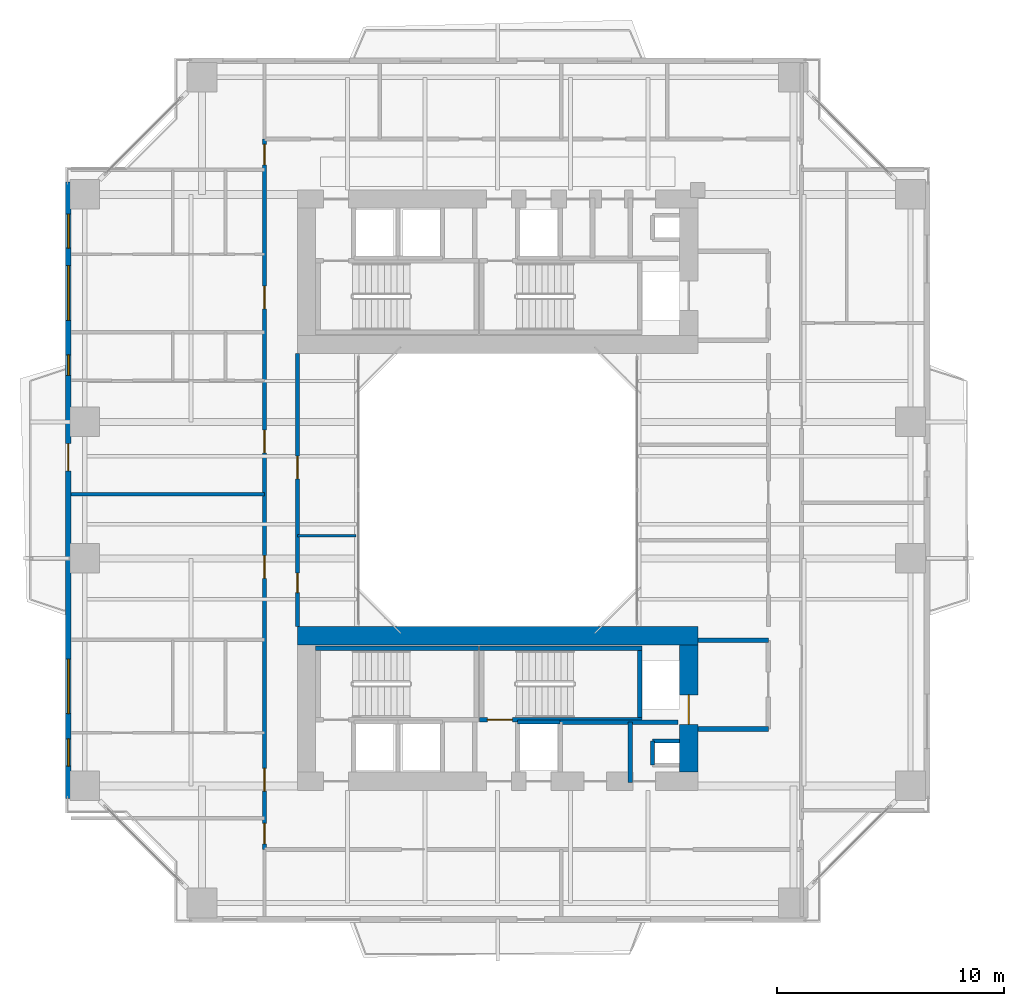
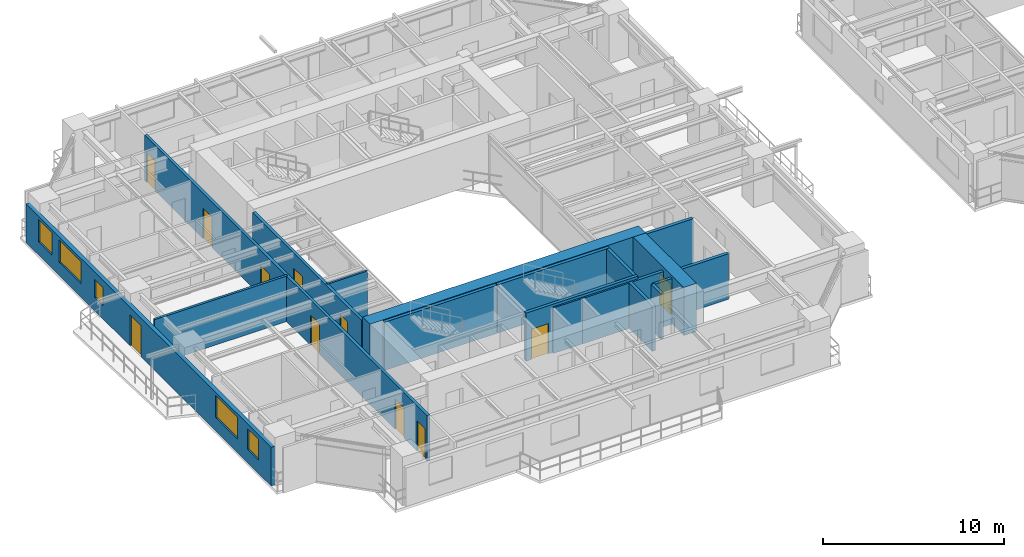
# One storey, part 13 of 23: 18 walls, 11 doors, 5 windows, 16 openings.
"""IFC4 building model written with IfcOpenShell, lengths in metres."""

from ifc_helpers import new_model, si_unit, direction, frame, frame_2d, origin, place, context, subcontext, project, spatial, rectangle, extrude, source, transform, mapped, material, layer, layer_set, type_object, element, fill, save


model = new_model("IFC4")

# Units and contexts
model_context = context("Model", 3, precision=1e-05, world=origin(), true_north=direction((0.0, 1.0)))
body_context = subcontext(model_context, "Body", "Model", "MODEL_VIEW")
ifc_project = project(units=[si_unit("LENGTHUNIT", "METRE"), si_unit("AREAUNIT", "SQUARE_METRE"), si_unit("VOLUMEUNIT", "CUBIC_METRE"), si_unit("PLANEANGLEUNIT", "RADIAN"), si_unit("MASSUNIT", "GRAM", prefix="KILO"), si_unit("THERMODYNAMICTEMPERATUREUNIT", "KELVIN"), si_unit("POWERUNIT", "WATT")], contexts=[model_context])

# Site, building, storey
site_placement = place(None, origin())
site = spatial("IfcSite", under=ifc_project, at=site_placement, CompositionType="ELEMENT")
building_placement = place(site_placement, origin())
building = spatial("IfcBuilding", under=site, at=building_placement, Name="Qiaomeng Ring Towers", CompositionType="ELEMENT")
storey_placement = place(building_placement, frame((0.0, 0.0, 60.0)))
storey = spatial("IfcBuildingStorey", under=building, at=storey_placement, Name="L16", CompositionType="ELEMENT", Elevation=60.0)

# Wall, openings, door, windows
ifc_material_1 = material(Name="Precast concrete C40", Category="concrete")
ifc_layer_1 = layer(ifc_material_1, 0.25, Name="Precast concrete C40")
ifc_layer_set_1 = layer_set([ifc_layer_1], Name="Precast concrete C40")
wall_type_1 = type_object("IfcWallType", Name="ARC-WL-EW1", PredefinedType="STANDARD", material=ifc_layer_set_1)
wall_1_placement = place(storey_placement, frame((0.125, 9.449951171875, 0.0), z_axis=(0.0, 0.0, 1.0), x_axis=(0.0, 1.0, 0.0)))
wall_1 = element("IfcWall", 1, at=wall_1_placement, inside=storey, type_object=wall_type_1, Name="L16 Tower 1 W Exterior Wall", PredefinedType="STANDARD", context=body_context, shape_type="SweptSolid", body=[
    extrude(rectangle(XDim=27.10009765625, YDim=0.25, at=frame_2d((13.550048828125, 0.0))), origin(), (0.0, 0.0, 1.0), 2.610107421875),
])
opening_1_placement = place(wall_1_placement, frame((14.39990234375, 0.0, 0.0)))
opening_1 = element("IfcOpeningElement", 2, at=opening_1_placement, cuts=wall_1, Name="Opening BD1", PredefinedType="OPENING", context=body_context, shape_type="SweptSolid", body=[
    extrude(rectangle(XDim=1.199951171875, YDim=2.10009765625, at=frame_2d((0.60009765625, 1.050048828125))), frame((0.0, 0.135009765625, 0.0), z_axis=(0.0, -1.0, 0.0), x_axis=(1.0, 0.0, 0.0)), (0.0, 0.0, 1.0), 0.27001953125),
])
opening_2_placement = place(wall_1_placement, frame((1.41748046875, 0.0, 0.89990234375)))
opening_2 = element("IfcOpeningElement", 3, at=opening_2_placement, cuts=wall_1, Name="Opening WN3", PredefinedType="OPENING", context=body_context, shape_type="SweptSolid", body=[
    extrude(rectangle(XDim=1.199951171875, YDim=1.39990234375, at=frame_2d((0.60009765625, 0.699951171875))), frame((0.0, 0.135009765625, 0.0), z_axis=(0.0, -1.0, 0.0), x_axis=(1.0, 0.0, 0.0)), (0.0, 0.0, 1.0), 0.27001953125),
])
opening_3_placement = place(wall_1_placement, frame((24.1875, 0.0, 0.89990234375)))
opening_3 = element("IfcOpeningElement", 4, at=opening_3_placement, cuts=wall_1, Name="Opening WN2", PredefinedType="OPENING", context=body_context, shape_type="SweptSolid", body=[
    extrude(rectangle(XDim=1.5, YDim=1.5, at=frame_2d((0.75, 0.75))), frame((0.0, 0.135009765625, 0.0), z_axis=(0.0, -1.0, 0.0), x_axis=(1.0, 0.0, 0.0)), (0.0, 0.0, 1.0), 0.27001953125),
])
opening_4_placement = place(wall_1_placement, frame((3.722412109375, 0.0, 0.89990234375)))
opening_4 = element("IfcOpeningElement", 5, at=opening_4_placement, cuts=wall_1, Name="Opening WN6", PredefinedType="OPENING", context=body_context, shape_type="SweptSolid", body=[
    extrude(rectangle(XDim=2.39990234375, YDim=1.5, at=frame_2d((1.199951171875, 0.75))), frame((0.0, 0.135009765625, 0.0), z_axis=(0.0, -1.0, 0.0), x_axis=(1.0, 0.0, 0.0)), (0.0, 0.0, 1.0), 0.27001953125),
])
opening_5_placement = place(wall_1_placement, frame((21.017578125, 0.0, 0.89990234375)))
opening_5 = element("IfcOpeningElement", 6, at=opening_5_placement, cuts=wall_1, Name="Opening WN6", PredefinedType="OPENING", context=body_context, shape_type="SweptSolid", body=[
    extrude(rectangle(XDim=2.39990234375, YDim=1.5, at=frame_2d((1.199951171875, 0.75))), frame((0.0, 0.135009765625, 0.0), z_axis=(0.0, -1.0, 0.0), x_axis=(1.0, 0.0, 0.0)), (0.0, 0.0, 1.0), 0.27001953125),
])
opening_6_placement = place(wall_1_placement, frame((18.60009765625, 0.0, 0.89990234375)))
opening_6 = element("IfcOpeningElement", 7, at=opening_6_placement, cuts=wall_1, Name="Opening WN5", PredefinedType="OPENING", context=body_context, shape_type="SweptSolid", body=[
    extrude(rectangle(XDim=0.89990234375, YDim=1.199951171875, at=frame_2d((0.449951171875, 0.60009765625))), frame((0.0, 0.135009765625, 0.0), z_axis=(0.0, -1.0, 0.0), x_axis=(1.0, 0.0, 0.0)), (0.0, 0.0, 1.0), 0.27001953125),
])
ifc_material_2 = material(Name="Low-E dark-grey laminated double glazing", Category="glass")
door_type_1 = type_object("IfcDoorType", Name="ARC-DR-BD1", OperationType="NOTDEFINED", PredefinedType="DOOR", material=ifc_material_2)
shared_shape_1 = source(origin(), body_context, "Body", "SweptSolid", [
    extrude(rectangle(XDim=1.199951171875, YDim=2.10009765625, at=frame_2d((0.60009765625, 1.050048828125))), frame((0.0, 0.02490234375, 0.0), z_axis=(0.0, -1.0, 0.0), x_axis=(1.0, 0.0, 0.0)), (0.0, 0.0, 1.0), 0.050048828125),
])
door_1_placement = place(opening_1_placement, frame((1.199951171875, 0.0, 0.0), z_axis=(0.0, 0.0, 1.0), x_axis=(-1.0, 0.0, 0.0)))
door_1 = element("IfcDoor", 8, at=door_1_placement, inside=storey, type_object=door_type_1, Name="L16 W Balcony Glazed Door", OperationType="SINGLE_SWING_LEFT", OverallHeight=2.10009765625, OverallWidth=1.199951171875, PredefinedType="DOOR", context=body_context, shape_type="MappedRepresentation", body=[
    mapped(shared_shape_1, transform((0.0, 0.0, 0.0), x_axis=(1.0, 0.0, 0.0), y_axis=(0.0, 1.0, 0.0), z_axis=(0.0, 0.0, 1.0), scale=1.0)),
])
fill(opening_1, door_1)
window_type_1 = type_object("IfcWindowType", Name="ARC-WN-2", PartitioningType="DOUBLE_PANEL_VERTICAL", PredefinedType="WINDOW", material=ifc_material_2)
shared_shape_2 = source(origin(), body_context, "Body", "SweptSolid", [
    extrude(rectangle(XDim=1.5, YDim=1.5, at=frame_2d((0.75, 0.75))), frame((0.0, 0.030029296875, 0.0), z_axis=(0.0, -1.0, 0.0), x_axis=(1.0, 0.0, 0.0)), (0.0, 0.0, 1.0), 0.06005859375),
])
window_1_placement = place(opening_3_placement, origin())
window_1 = element("IfcWindow", 9, at=window_1_placement, inside=storey, type_object=window_type_1, Name="L16 Exterior Window WN4", OverallHeight=1.5, OverallWidth=1.5, PartitioningType="TRIPLE_PANEL_VERTICAL", PredefinedType="WINDOW", context=body_context, shape_type="MappedRepresentation", body=[
    mapped(shared_shape_2, transform((0.0, 0.0, 0.0), x_axis=(1.0, 0.0, 0.0), y_axis=(0.0, 1.0, 0.0), z_axis=(0.0, 0.0, 1.0), scale=1.0)),
])
fill(opening_3, window_1)
window_type_2 = type_object("IfcWindowType", Name="ARC-WN-6", PartitioningType="TRIPLE_PANEL_VERTICAL", PredefinedType="WINDOW", material=ifc_material_2)
shared_shape_3 = source(origin(), body_context, "Body", "SweptSolid", [
    extrude(rectangle(XDim=2.39990234375, YDim=1.5, at=frame_2d((1.199951171875, 0.75))), frame((0.0, 0.030029296875, 0.0), z_axis=(0.0, -1.0, 0.0), x_axis=(1.0, 0.0, 0.0)), (0.0, 0.0, 1.0), 0.06005859375),
])
window_2_placement = place(opening_4_placement, origin())
window_2 = element("IfcWindow", 10, at=window_2_placement, inside=storey, type_object=window_type_2, Name="L16 Exterior Window WN6", OverallHeight=1.5, OverallWidth=2.39990234375, PartitioningType="TRIPLE_PANEL_VERTICAL", PredefinedType="WINDOW", context=body_context, shape_type="MappedRepresentation", body=[
    mapped(shared_shape_3, transform((0.0, 0.0, 0.0), x_axis=(1.0, 0.0, 0.0), y_axis=(0.0, 1.0, 0.0), z_axis=(0.0, 0.0, 1.0), scale=1.0)),
])
fill(opening_4, window_2)
window_3_placement = place(opening_5_placement, origin())
window_3 = element("IfcWindow", 11, at=window_3_placement, inside=storey, type_object=window_type_2, Name="L16 Exterior Window WN6", OverallHeight=1.5, OverallWidth=2.39990234375, PartitioningType="TRIPLE_PANEL_VERTICAL", PredefinedType="WINDOW", context=body_context, shape_type="MappedRepresentation", body=[
    mapped(shared_shape_3, transform((0.0, 0.0, 0.0), x_axis=(1.0, 0.0, 0.0), y_axis=(0.0, 1.0, 0.0), z_axis=(0.0, 0.0, 1.0), scale=1.0)),
])
fill(opening_5, window_3)
window_type_3 = type_object("IfcWindowType", Name="ARC-WN-3", PartitioningType="SINGLE_PANEL", PredefinedType="WINDOW", material=ifc_material_2)
shared_shape_4 = source(origin(), body_context, "Body", "SweptSolid", [
    extrude(rectangle(XDim=1.199951171875, YDim=1.39990234375, at=frame_2d((0.60009765625, 0.699951171875))), frame((0.0, 0.030029296875, 0.0), z_axis=(0.0, -1.0, 0.0), x_axis=(1.0, 0.0, 0.0)), (0.0, 0.0, 1.0), 0.06005859375),
])
window_4_placement = place(opening_2_placement, origin())
window_4 = element("IfcWindow", 12, at=window_4_placement, inside=storey, type_object=window_type_3, Name="L16 Exterior Window WN6", OverallHeight=1.39990234375, OverallWidth=1.199951171875, PartitioningType="TRIPLE_PANEL_VERTICAL", PredefinedType="WINDOW", context=body_context, shape_type="MappedRepresentation", body=[
    mapped(shared_shape_4, transform((0.0, 0.0, 0.0), x_axis=(1.0, 0.0, 0.0), y_axis=(0.0, 1.0, 0.0), z_axis=(0.0, 0.0, 1.0), scale=1.0)),
])
fill(opening_2, window_4)
window_type_4 = type_object("IfcWindowType", Name="ARC-WN-5", PartitioningType="SINGLE_PANEL", PredefinedType="WINDOW", material=ifc_material_2)
shared_shape_5 = source(origin(), body_context, "Body", "SweptSolid", [
    extrude(rectangle(XDim=0.89990234375, YDim=1.199951171875, at=frame_2d((0.449951171875, 0.60009765625))), frame((0.0, 0.030029296875, 0.0), z_axis=(0.0, -1.0, 0.0), x_axis=(1.0, 0.0, 0.0)), (0.0, 0.0, 1.0), 0.06005859375),
])
window_5_placement = place(opening_6_placement, origin())
window_5 = element("IfcWindow", 13, at=window_5_placement, inside=storey, type_object=window_type_4, Name="L16 Exterior Window WN5", OverallHeight=1.199951171875, OverallWidth=0.89990234375, PartitioningType="SINGLE_PANEL", PredefinedType="WINDOW", context=body_context, shape_type="MappedRepresentation", body=[
    mapped(shared_shape_5, transform((0.0, 0.0, 0.0), x_axis=(1.0, 0.0, 0.0), y_axis=(0.0, 1.0, 0.0), z_axis=(0.0, 0.0, 1.0), scale=1.0)),
])
fill(opening_6, window_5)

# Walls
ifc_material_3 = material(Name="Autoclaved aerated concrete block", Category="concrete")
ifc_layer_2 = layer(ifc_material_3, 0.199951171875, Name="Autoclaved aerated concrete block")
ifc_layer_set_2 = layer_set([ifc_layer_2], Name="Autoclaved aerated concrete block")
wall_type_2 = type_object("IfcWallType", Name="ARC-WL-PW1", PredefinedType="PARTITIONING", material=ifc_layer_set_2)
for number, where, z_axis, x_axis, name in (
    (14, (27.800048828125, 16.39990234375, 0.0), (0.0, 0.0, 1.0), (1.0, 0.0, 0.0), "L16 Interior Wall PW1"),
    (15, (27.800048828125, 12.5, 0.0), (0.0, 0.0, 1.0), (1.0, 0.0, 0.0), "L16 Interior Wall PW1"),
):
    element("IfcWall", number, at=place(storey_placement, frame(where, z_axis=z_axis, x_axis=x_axis)), inside=storey, type_object=wall_type_2, Name=name, PredefinedType="PARTITIONING", context=body_context, shape_type="SweptSolid", body=[
        extrude(rectangle(XDim=3.099853515625, YDim=0.199951171875, at=frame_2d((1.5498046875, 0.0))), origin(), (0.0, 0.0, 1.0), 3.070068359375),
    ])
wall_2_placement = place(storey_placement, frame((24.820068359375, 10.14990234375, 0.0), z_axis=(0.0, 0.0, 1.0), x_axis=(0.0, 1.0, 0.0)))
element("IfcWall", 16, at=wall_2_placement, inside=storey, type_object=wall_type_2, Name="L16 Interior Wall PW1", PredefinedType="PARTITIONING", context=body_context, shape_type="SweptSolid", body=[
    extrude(rectangle(XDim=2.650146484375, YDim=0.199951171875, at=frame_2d((1.3251953125, 0.0))), origin(), (0.0, 0.0, 1.0), 3.070068359375),
])
wall_3_placement = place(storey_placement, frame((21.75, 12.800048828125, 0.0), z_axis=(0.0, 0.0, 1.0), x_axis=(1.0, 0.0, 0.0)))
element("IfcWall", 17, at=wall_3_placement, inside=storey, type_object=wall_type_2, Name="L16 Interior Wall PW1", PredefinedType="PARTITIONING", context=body_context, shape_type="SweptSolid", body=[
    extrude(rectangle(XDim=5.169921875, YDim=0.199951171875, at=frame_2d((2.5849609375, 0.0))), origin(), (0.0, 0.0, 1.0), 3.070068359375),
])

# Wall, openings, doors
ifc_layer_3 = layer(ifc_material_3, 0.179931640625, Name="Autoclaved aerated concrete block")
ifc_layer_set_3 = layer_set([ifc_layer_3], Name="Autoclaved aerated concrete block")
wall_type_3 = type_object("IfcWallType", Name="ARC-WL-PW2", PredefinedType="PARTITIONING", material=ifc_layer_set_3)
wall_4_placement = place(storey_placement, frame((8.75, 7.2099609375, 0.0), z_axis=(0.0, 0.0, 1.0), x_axis=(0.0, 1.0, 0.0)))
wall_4 = element("IfcWall", 18, at=wall_4_placement, inside=storey, type_object=wall_type_3, Name="L16 Interior Wall PW2", PredefinedType="PARTITIONING", context=body_context, shape_type="SweptSolid", body=[
    extrude(rectangle(XDim=31.22998046875, YDim=0.179931640625, at=frame_2d((15.614990234375, 0.0))), origin(), (0.0, 0.0, 1.0), 3.070068359375),
])
opening_7_placement = place(wall_4_placement, frame((30.090087890625, 0.0, 0.0)))
opening_7 = element("IfcOpeningElement", 19, at=opening_7_placement, cuts=wall_4, Name="Opening ID1", PredefinedType="OPENING", context=body_context, shape_type="SweptSolid", body=[
    extrude(rectangle(XDim=0.89990234375, YDim=2.050048828125, at=frame_2d((0.449951171875, 1.02490234375))), frame((0.0, 0.099853515625, 0.0), z_axis=(0.0, -1.0, 0.0), x_axis=(1.0, 0.0, 0.0)), (0.0, 0.0, 1.0), 0.199951171875),
])
opening_8_placement = place(wall_4_placement, frame((0.239990234375, 0.0, 0.0)))
opening_8 = element("IfcOpeningElement", 20, at=opening_8_placement, cuts=wall_4, Name="Opening ID1", PredefinedType="OPENING", context=body_context, shape_type="SweptSolid", body=[
    extrude(rectangle(XDim=0.89990234375, YDim=2.050048828125, at=frame_2d((0.449951171875, 1.02490234375))), frame((0.0, 0.099853515625, 0.0), z_axis=(0.0, -1.0, 0.0), x_axis=(1.0, 0.0, 0.0)), (0.0, 0.0, 1.0), 0.199951171875),
])
opening_9_placement = place(wall_4_placement, frame((2.554931640625, 0.0, 0.0)))
opening_9 = element("IfcOpeningElement", 21, at=opening_9_placement, cuts=wall_4, Name="Opening FD4", PredefinedType="OPENING", context=body_context, shape_type="SweptSolid", body=[
    extrude(rectangle(XDim=1.0, YDim=2.050048828125, at=frame_2d((0.5, 1.02490234375))), frame((0.0, 0.099853515625, 0.0), z_axis=(0.0, -1.0, 0.0), x_axis=(1.0, 0.0, 0.0)), (0.0, 0.0, 1.0), 0.199951171875),
])
opening_10_placement = place(wall_4_placement, frame((11.909912109375, 0.0, 0.0)))
opening_10 = element("IfcOpeningElement", 22, at=opening_10_placement, cuts=wall_4, Name="Opening FD4", PredefinedType="OPENING", context=body_context, shape_type="SweptSolid", body=[
    extrude(rectangle(XDim=1.0, YDim=2.050048828125, at=frame_2d((0.5, 1.02490234375))), frame((0.0, 0.099853515625, 0.0), z_axis=(0.0, -1.0, 0.0), x_axis=(1.0, 0.0, 0.0)), (0.0, 0.0, 1.0), 0.199951171875),
])
opening_11_placement = place(wall_4_placement, frame((17.425048828125, 0.0, 0.0)))
opening_11 = element("IfcOpeningElement", 23, at=opening_11_placement, cuts=wall_4, Name="Opening FD4", PredefinedType="OPENING", context=body_context, shape_type="SweptSolid", body=[
    extrude(rectangle(XDim=1.0, YDim=2.050048828125, at=frame_2d((0.5, 1.02490234375))), frame((0.0, 0.099853515625, 0.0), z_axis=(0.0, -1.0, 0.0), x_axis=(1.0, 0.0, 0.0)), (0.0, 0.0, 1.0), 0.199951171875),
])
opening_12_placement = place(wall_4_placement, frame((23.760009765625, 0.0, 0.0)))
opening_12 = element("IfcOpeningElement", 24, at=opening_12_placement, cuts=wall_4, Name="Opening FD4", PredefinedType="OPENING", context=body_context, shape_type="SweptSolid", body=[
    extrude(rectangle(XDim=1.0, YDim=2.050048828125, at=frame_2d((0.5, 1.02490234375))), frame((0.0, 0.099853515625, 0.0), z_axis=(0.0, -1.0, 0.0), x_axis=(1.0, 0.0, 0.0)), (0.0, 0.0, 1.0), 0.199951171875),
])
ifc_material_4 = material(Name="Engineered fire-rated oak timber", Category="wood")
door_type_2 = type_object("IfcDoorType", Name="ARC-DR-FD4", OperationType="NOTDEFINED", PredefinedType="DOOR", material=ifc_material_4)
shared_shape_6 = source(origin(), body_context, "Body", "SweptSolid", [
    extrude(rectangle(XDim=1.0, YDim=2.050048828125, at=frame_2d((0.5, 1.02490234375))), frame((0.0, 0.02490234375, 0.0), z_axis=(0.0, -1.0, 0.0), x_axis=(1.0, 0.0, 0.0)), (0.0, 0.0, 1.0), 0.050048828125),
])
door_2_placement = place(opening_9_placement, origin())
door_2 = element("IfcDoor", 25, at=door_2_placement, inside=storey, type_object=door_type_2, Name="L16 Door FD4", OperationType="SINGLE_SWING_RIGHT", OverallHeight=2.050048828125, OverallWidth=1.0, PredefinedType="DOOR", context=body_context, shape_type="MappedRepresentation", body=[
    mapped(shared_shape_6, transform((0.0, 0.0, 0.0), x_axis=(1.0, 0.0, 0.0), y_axis=(0.0, 1.0, 0.0), z_axis=(0.0, 0.0, 1.0), scale=1.0)),
])
fill(opening_9, door_2)
door_3_placement = place(opening_10_placement, origin())
door_3 = element("IfcDoor", 26, at=door_3_placement, inside=storey, type_object=door_type_2, Name="L16 Door FD4", OperationType="SINGLE_SWING_LEFT", OverallHeight=2.050048828125, OverallWidth=1.0, PredefinedType="DOOR", context=body_context, shape_type="MappedRepresentation", body=[
    mapped(shared_shape_6, transform((0.0, 0.0, 0.0), x_axis=(1.0, 0.0, 0.0), y_axis=(0.0, 1.0, 0.0), z_axis=(0.0, 0.0, 1.0), scale=1.0)),
])
fill(opening_10, door_3)
door_4_placement = place(opening_11_placement, origin())
door_4 = element("IfcDoor", 27, at=door_4_placement, inside=storey, type_object=door_type_2, Name="L16 Door FD4", OperationType="SINGLE_SWING_LEFT", OverallHeight=2.050048828125, OverallWidth=1.0, PredefinedType="DOOR", context=body_context, shape_type="MappedRepresentation", body=[
    mapped(shared_shape_6, transform((0.0, 0.0, 0.0), x_axis=(1.0, 0.0, 0.0), y_axis=(0.0, 1.0, 0.0), z_axis=(0.0, 0.0, 1.0), scale=1.0)),
])
fill(opening_11, door_4)
door_5_placement = place(opening_12_placement, origin())
door_5 = element("IfcDoor", 28, at=door_5_placement, inside=storey, type_object=door_type_2, Name="L16 Door FD4", OperationType="SINGLE_SWING_LEFT", OverallHeight=2.050048828125, OverallWidth=1.0, PredefinedType="DOOR", context=body_context, shape_type="MappedRepresentation", body=[
    mapped(shared_shape_6, transform((0.0, 0.0, 0.0), x_axis=(1.0, 0.0, 0.0), y_axis=(0.0, 1.0, 0.0), z_axis=(0.0, 0.0, 1.0), scale=1.0)),
])
fill(opening_12, door_5)
ifc_material_5 = material(Name="Engineered oak timber", Category="wood")
door_type_3 = type_object("IfcDoorType", Name="ARC-DR-ID1", OperationType="NOTDEFINED", PredefinedType="DOOR", material=ifc_material_5)
shared_shape_7 = source(origin(), body_context, "Body", "SweptSolid", [
    extrude(rectangle(XDim=0.89990234375, YDim=2.050048828125, at=frame_2d((0.449951171875, 1.02490234375))), frame((0.0, 0.02490234375, 0.0), z_axis=(0.0, -1.0, 0.0), x_axis=(1.0, 0.0, 0.0)), (0.0, 0.0, 1.0), 0.050048828125),
])
door_6_placement = place(opening_7_placement, origin())
door_6 = element("IfcDoor", 29, at=door_6_placement, inside=storey, type_object=door_type_3, Name="L16 Door ID1", OperationType="SINGLE_SWING_LEFT", OverallHeight=2.050048828125, OverallWidth=0.89990234375, PredefinedType="DOOR", context=body_context, shape_type="MappedRepresentation", body=[
    mapped(shared_shape_7, transform((0.0, 0.0, 0.0), x_axis=(1.0, 0.0, 0.0), y_axis=(0.0, 1.0, 0.0), z_axis=(0.0, 0.0, 1.0), scale=1.0)),
])
fill(opening_7, door_6)
door_7_placement = place(opening_8_placement, origin())
door_7 = element("IfcDoor", 30, at=door_7_placement, inside=storey, type_object=door_type_3, Name="L16 Door ID1", OperationType="SINGLE_SWING_RIGHT", OverallHeight=2.050048828125, OverallWidth=0.89990234375, PredefinedType="DOOR", context=body_context, shape_type="MappedRepresentation", body=[
    mapped(shared_shape_7, transform((0.0, 0.0, 0.0), x_axis=(1.0, 0.0, 0.0), y_axis=(0.0, 1.0, 0.0), z_axis=(0.0, 0.0, 1.0), scale=1.0)),
])
fill(opening_8, door_7)

wall_5_placement = place(storey_placement, frame((10.199951171875, 17.0, 0.0), z_axis=(0.0, 0.0, 1.0), x_axis=(0.0, 1.0, 0.0)))
wall_5 = element("IfcWall", 31, at=wall_5_placement, inside=storey, type_object=wall_type_3, Name="L16 Interior Wall PW2", PredefinedType="PARTITIONING", context=body_context, shape_type="SweptSolid", body=[
    extrude(rectangle(XDim=12.0, YDim=0.179931640625, at=frame_2d((6.0, 0.0))), origin(), (0.0, 0.0, 1.0), 3.070068359375),
])
opening_13_placement = place(wall_5_placement, frame((1.5, 0.0, 0.0)))
opening_13 = element("IfcOpeningElement", 32, at=opening_13_placement, cuts=wall_5, Name="Opening ID2", PredefinedType="OPENING", context=body_context, shape_type="SweptSolid", body=[
    extrude(rectangle(XDim=0.85009765625, YDim=2.050048828125, at=frame_2d((0.425048828125, 1.02490234375))), frame((0.0, 0.099853515625, 0.0), z_axis=(0.0, -1.0, 0.0), x_axis=(1.0, 0.0, 0.0)), (0.0, 0.0, 1.0), 0.199951171875),
])
opening_14_placement = place(wall_5_placement, frame((6.5, 0.0, 0.0)))
opening_14 = element("IfcOpeningElement", 33, at=opening_14_placement, cuts=wall_5, Name="Opening FD4", PredefinedType="OPENING", context=body_context, shape_type="SweptSolid", body=[
    extrude(rectangle(XDim=1.0, YDim=2.050048828125, at=frame_2d((0.5, 1.02490234375))), frame((0.0, 0.099853515625, 0.0), z_axis=(0.0, -1.0, 0.0), x_axis=(1.0, 0.0, 0.0)), (0.0, 0.0, 1.0), 0.199951171875),
])
door_8_placement = place(opening_14_placement, origin())
door_8 = element("IfcDoor", 34, at=door_8_placement, inside=storey, type_object=door_type_2, Name="L16 Door FD4", OperationType="SINGLE_SWING_LEFT", OverallHeight=2.050048828125, OverallWidth=1.0, PredefinedType="DOOR", context=body_context, shape_type="MappedRepresentation", body=[
    mapped(shared_shape_6, transform((0.0, 0.0, 0.0), x_axis=(1.0, 0.0, 0.0), y_axis=(0.0, 1.0, 0.0), z_axis=(0.0, 0.0, 1.0), scale=1.0)),
])
fill(opening_14, door_8)
ifc_material_6 = material(Name="Moisture-resistant engineered timber", Category="wood")
door_type_4 = type_object("IfcDoorType", Name="ARC-DR-ID2", OperationType="NOTDEFINED", PredefinedType="DOOR", material=ifc_material_6)
shared_shape_8 = source(origin(), body_context, "Body", "SweptSolid", [
    extrude(rectangle(XDim=0.85009765625, YDim=2.050048828125, at=frame_2d((0.425048828125, 1.02490234375))), frame((0.0, 0.02490234375, 0.0), z_axis=(0.0, -1.0, 0.0), x_axis=(1.0, 0.0, 0.0)), (0.0, 0.0, 1.0), 0.050048828125),
])
door_9_placement = place(opening_13_placement, origin())
door_9 = element("IfcDoor", 35, at=door_9_placement, inside=storey, type_object=door_type_4, Name="L16 Door ID2", OperationType="SINGLE_SWING_RIGHT", OverallHeight=2.050048828125, OverallWidth=0.85009765625, PredefinedType="DOOR", context=body_context, shape_type="MappedRepresentation", body=[
    mapped(shared_shape_8, transform((0.0, 0.0, 0.0), x_axis=(1.0, 0.0, 0.0), y_axis=(0.0, 1.0, 0.0), z_axis=(0.0, 0.0, 1.0), scale=1.0)),
])
fill(opening_13, door_9)

# Walls
ifc_material_7 = material(Name="Gypsum fireboard steel-stud partition", Category="steel")
ifc_layer_4 = layer(ifc_material_7, 0.14990234375, Name="Gypsum fireboard steel-stud partition")
ifc_layer_set_4 = layer_set([ifc_layer_4], Name="Gypsum fireboard steel-stud partition")
wall_type_4 = type_object("IfcWallType", Name="ARC-WL-PW3", PredefinedType="PARTITIONING", material=ifc_layer_set_4)
wall_6_placement = place(storey_placement, frame((0.25, 22.820068359375, 0.0), z_axis=(0.0, 0.0, 1.0), x_axis=(1.0, 0.0, 0.0)))
element("IfcWall", 36, at=wall_6_placement, inside=storey, type_object=wall_type_4, Name="L16 Interior Wall PW3", PredefinedType="PARTITIONING", context=body_context, shape_type="SweptSolid", body=[
    extrude(rectangle(XDim=8.5, YDim=0.14990234375, at=frame_2d((4.25, 0.0))), origin(), (0.0, 0.0, 1.0), 3.070068359375),
])
ifc_material_8 = material(Name="Moisture-resistant gypsum steel-stud partition", Category="steel")
ifc_layer_5 = layer(ifc_material_8, 0.1201171875, Name="Moisture-resistant gypsum steel-stud partition")
ifc_layer_set_5 = layer_set([ifc_layer_5], Name="Moisture-resistant gypsum steel-stud partition")
wall_type_5 = type_object("IfcWallType", Name="ARC-WL-PW4", PredefinedType="PLUMBINGWALL", material=ifc_layer_set_5)
wall_7_placement = place(storey_placement, frame((10.199951171875, 21.0, 0.0), z_axis=(0.0, 0.0, 1.0), x_axis=(1.0, 0.0, 0.0)))
element("IfcWall", 37, at=wall_7_placement, inside=storey, type_object=wall_type_5, Name="L16 Interior Wall PW4", PredefinedType="PLUMBINGWALL", context=body_context, shape_type="SweptSolid", body=[
    extrude(rectangle(XDim=2.580078125, YDim=0.1201171875, at=frame_2d((1.2900390625, 0.0))), origin(), (0.0, 0.0, 1.0), 3.070068359375),
])
ifc_material_9 = material(Name="Concrete C40", Category="concrete")
ifc_layer_6 = layer(ifc_material_9, 0.199951171875, Name="Concrete C40")
ifc_layer_set_6 = layer_set([ifc_layer_6], Name="Concrete C40")
wall_type_6 = type_object("IfcWallType", Name="STR-WL-STSHAFT", PredefinedType="SHEAR", material=ifc_layer_set_6)
wall_8_placement = place(storey_placement, frame((25.800048828125, 10.919921875, 0.0), z_axis=(0.0, 0.0, 1.0), x_axis=(0.0, 1.0, 0.0)))
element("IfcWall", 38, at=wall_8_placement, inside=storey, type_object=wall_type_6, Name="L16 Riser RSR1 West Shaft Wall S", PredefinedType="SHEAR", context=body_context, shape_type="SweptSolid", body=[
    extrude(rectangle(XDim=1.06005859375, YDim=0.179931640625, at=frame_2d((0.530029296875, 0.0))), origin(), (0.0, 0.0, 1.0), 3.070068359375),
])
wall_9_placement = place(storey_placement, frame((25.800048828125, 11.97998046875, 0.0), z_axis=(0.0, 0.0, 1.0), x_axis=(1.0, 0.0, 0.0)))
element("IfcWall", 39, at=wall_9_placement, inside=storey, type_object=wall_type_6, Name="L16 Riser RSR1 North Shaft Wall S", PredefinedType="SHEAR", context=body_context, shape_type="SweptSolid", body=[
    extrude(rectangle(XDim=1.199951171875, YDim=0.179931640625, at=frame_2d((0.60009765625, 0.0))), origin(), (0.0, 0.0, 1.0), 3.070068359375),
])
wall_10_placement = place(storey_placement, frame((19.8798828125, 12.800048828125, 0.0), z_axis=(0.0, 0.0, 1.0), x_axis=(1.0, 0.0, 0.0)))
element("IfcWall", 40, at=wall_10_placement, inside=storey, type_object=wall_type_6, Name="L16 Lift LP2 Shaft Back Wall", PredefinedType="SHEAR", context=body_context, shape_type="SweptSolid", body=[
    extrude(rectangle(XDim=1.8701171875, YDim=0.179931640625, at=frame_2d((0.93505859375, 0.0))), origin(), (0.0, 0.0, 1.0), 3.070068359375),
])
wall_11_placement = place(storey_placement, frame((11.0, 16.050048828125, 0.0), z_axis=(0.0, 0.0, 1.0), x_axis=(1.0, 0.0, 0.0)))
element("IfcWall", 41, at=wall_11_placement, inside=storey, type_object=wall_type_6, Name="L16 Stair ST3 North Shaft Shear Wall", PredefinedType="SHEAR", context=body_context, shape_type="SweptSolid", body=[
    extrude(rectangle(XDim=7.14990234375, YDim=0.199951171875, at=frame_2d((3.574951171875, 0.0))), origin(), (0.0, 0.0, 1.0), 3.25),
])

# Wall, opening, door
wall_12_placement = place(storey_placement, frame((18.199951171875, 12.909912109375, 0.0), z_axis=(0.0, 0.0, 1.0), x_axis=(1.0, 0.0, 0.0)))
wall_12 = element("IfcWall", 42, at=wall_12_placement, inside=storey, type_object=wall_type_6, Name="L16 Stair ST4 South Shaft Shear Wall", PredefinedType="SHEAR", context=body_context, shape_type="SweptSolid", body=[
    extrude(rectangle(XDim=7.150146484375, YDim=0.199951171875, at=frame_2d((3.5751953125, 0.0))), origin(), (0.0, 0.0, 1.0), 3.25),
])
opening_15_placement = place(wall_12_placement, frame((0.35009765625, 0.0, 0.0)))
opening_15 = element("IfcOpeningElement", 43, at=opening_15_placement, cuts=wall_12, Name="Opening FD3", PredefinedType="OPENING", context=body_context, shape_type="SweptSolid", body=[
    extrude(rectangle(XDim=1.10009765625, YDim=2.050048828125, at=frame_2d((0.550048828125, 1.02490234375))), frame((0.0, 0.10986328125, 0.0), z_axis=(0.0, -1.0, 0.0), x_axis=(1.0, 0.0, 0.0)), (0.0, 0.0, 1.0), 0.219970703125),
])
ifc_material_10 = material(Name="Galvanised steel", Category="steel")
door_type_5 = type_object("IfcDoorType", Name="ARC-DR-FD3", OperationType="NOTDEFINED", PredefinedType="DOOR", material=ifc_material_10)
shared_shape_9 = source(origin(), body_context, "Body", "SweptSolid", [
    extrude(rectangle(XDim=1.10009765625, YDim=2.050048828125, at=frame_2d((0.550048828125, 1.02490234375))), frame((0.0, 0.02490234375, 0.0), z_axis=(0.0, -1.0, 0.0), x_axis=(1.0, 0.0, 0.0)), (0.0, 0.0, 1.0), 0.050048828125),
])
door_10_placement = place(opening_15_placement, frame((1.10009765625, 0.0, 0.0), z_axis=(0.0, 0.0, 1.0), x_axis=(-1.0, 0.0, 0.0)))
door_10 = element("IfcDoor", 44, at=door_10_placement, inside=storey, type_object=door_type_5, Name="L16 Stair ST4 Exit Door", OperationType="SINGLE_SWING_LEFT", OverallHeight=2.050048828125, OverallWidth=1.10009765625, PredefinedType="DOOR", context=body_context, shape_type="MappedRepresentation", body=[
    mapped(shared_shape_9, transform((0.0, 0.0, 0.0), x_axis=(1.0, 0.0, 0.0), y_axis=(0.0, 1.0, 0.0), z_axis=(0.0, 0.0, 1.0), scale=1.0)),
])
fill(opening_15, door_10)

# Walls
wall_13_placement = place(storey_placement, frame((18.199951171875, 16.050048828125, 0.0), z_axis=(0.0, 0.0, 1.0), x_axis=(1.0, 0.0, 0.0)))
element("IfcWall", 45, at=wall_13_placement, inside=storey, type_object=wall_type_6, Name="L16 Stair ST4 North Shaft Shear Wall", PredefinedType="SHEAR", context=body_context, shape_type="SweptSolid", body=[
    extrude(rectangle(XDim=7.150146484375, YDim=0.199951171875, at=frame_2d((3.5751953125, 0.0))), origin(), (0.0, 0.0, 1.0), 3.25),
])
wall_14_placement = place(storey_placement, frame((25.25, 13.010009765625, 0.0), z_axis=(0.0, 0.0, 1.0), x_axis=(0.0, 1.0, 0.0)))
element("IfcWall", 46, at=wall_14_placement, inside=storey, type_object=wall_type_6, Name="L16 Stair ST4 East Shaft Shear Wall", PredefinedType="SHEAR", context=body_context, shape_type="SweptSolid", body=[
    extrude(rectangle(XDim=2.93994140625, YDim=0.199951171875, at=frame_2d((1.469970703125, 0.0))), origin(), (0.0, 0.0, 1.0), 3.25),
])
ifc_material_11 = material(Name="Concrete C60", Category="concrete")
ifc_layer_7 = layer(ifc_material_11, 0.800048828125, Name="Concrete C60")
ifc_layer_set_7 = layer_set([ifc_layer_7], Name="Concrete C60")
wall_type_7 = type_object("IfcWallType", Name="STR-WL-SW1", PredefinedType="SHEAR", material=ifc_layer_set_7)
wall_15_placement = place(storey_placement, frame((10.199951171875, 16.60009765625, 0.0), z_axis=(0.0, 0.0, 1.0), x_axis=(1.0, 0.0, 0.0)))
element("IfcWall", 47, at=wall_15_placement, inside=storey, type_object=wall_type_7, Name="L16 T1SC north core shear wall", PredefinedType="SHEAR", context=body_context, shape_type="SweptSolid", body=[
    extrude(rectangle(XDim=17.60009765625, YDim=0.800048828125, at=frame_2d((8.800048828125, 0.0))), origin(), (0.0, 0.0, 1.0), 3.25),
])

# Wall, opening, door
wall_16_placement = place(storey_placement, frame((27.39990234375, 10.60009765625, 0.0), z_axis=(0.0, 0.0, 1.0), x_axis=(0.0, 1.0, 0.0)))
wall_16 = element("IfcWall", 48, at=wall_16_placement, inside=storey, type_object=wall_type_7, Name="L16 T1SC east core shear wall", PredefinedType="SHEAR", context=body_context, shape_type="SweptSolid", body=[
    extrude(rectangle(XDim=5.599853515625, YDim=0.800048828125, at=frame_2d((2.7998046875, 0.0))), origin(), (0.0, 0.0, 1.0), 3.25),
])
opening_16_placement = place(wall_16_placement, frame((2.10009765625, 0.0, 0.0)))
opening_16 = element("IfcOpeningElement", 49, at=opening_16_placement, cuts=wall_16, Name="Opening LD2", PredefinedType="OPENING", context=body_context, shape_type="SweptSolid", body=[
    extrude(rectangle(XDim=1.300048828125, YDim=2.050048828125, at=frame_2d((0.64990234375, 1.02490234375))), frame((0.0, 0.409912109375, 0.0), z_axis=(0.0, -1.0, 0.0), x_axis=(1.0, 0.0, 0.0)), (0.0, 0.0, 1.0), 0.820068359375),
])
ifc_material_12 = material(Name="Stainless steel 316", Category="steel")
door_type_6 = type_object("IfcDoorType", Name="ARC-DR-LD2", OperationType="NOTDEFINED", PredefinedType="DOOR", material=ifc_material_12)
shared_shape_10 = source(origin(), body_context, "Body", "SweptSolid", [
    extrude(rectangle(XDim=1.300048828125, YDim=2.050048828125, at=frame_2d((0.64990234375, 1.02490234375))), frame((0.0, 0.02490234375, 0.0), z_axis=(0.0, -1.0, 0.0), x_axis=(1.0, 0.0, 0.0)), (0.0, 0.0, 1.0), 0.050048828125),
])
door_11_placement = place(opening_16_placement, origin())
door_11 = element("IfcDoor", 50, at=door_11_placement, inside=storey, type_object=door_type_6, Name="L16 Firefighting Lift FL2 Landing Door", OperationType="SLIDING_TO_RIGHT", OverallHeight=2.050048828125, OverallWidth=1.300048828125, PredefinedType="DOOR", context=body_context, shape_type="MappedRepresentation", body=[
    mapped(shared_shape_10, transform((0.0, 0.0, 0.0), x_axis=(1.0, 0.0, 0.0), y_axis=(0.0, 1.0, 0.0), z_axis=(0.0, 0.0, 1.0), scale=1.0)),
])
fill(opening_16, door_11)

save(model, "model.ifc")
